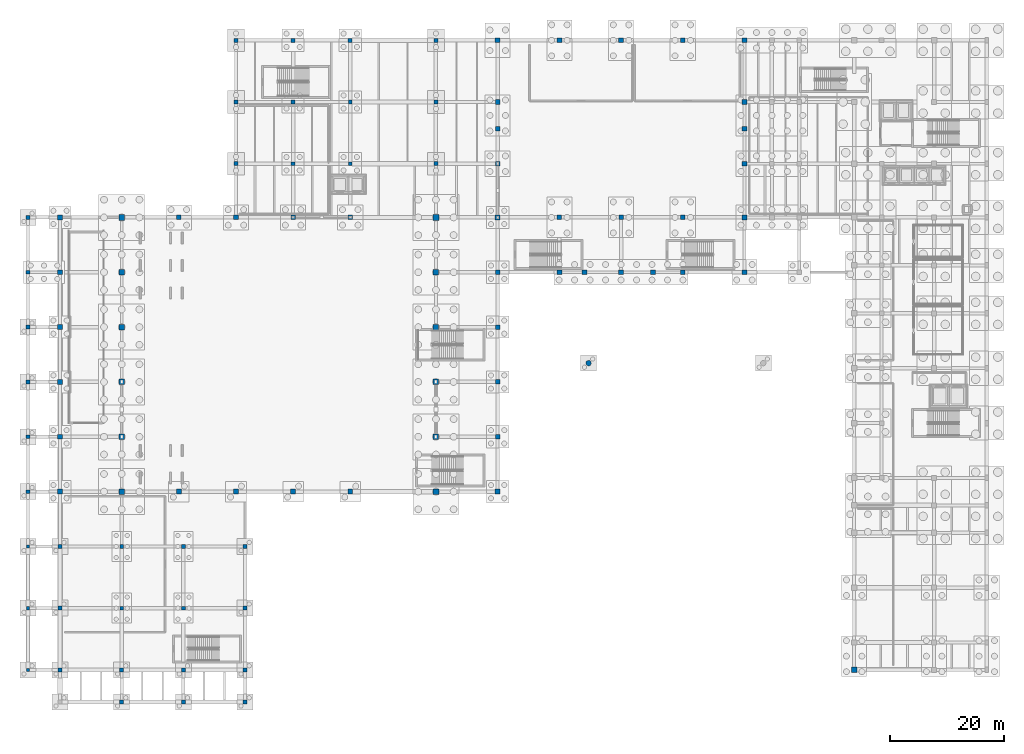
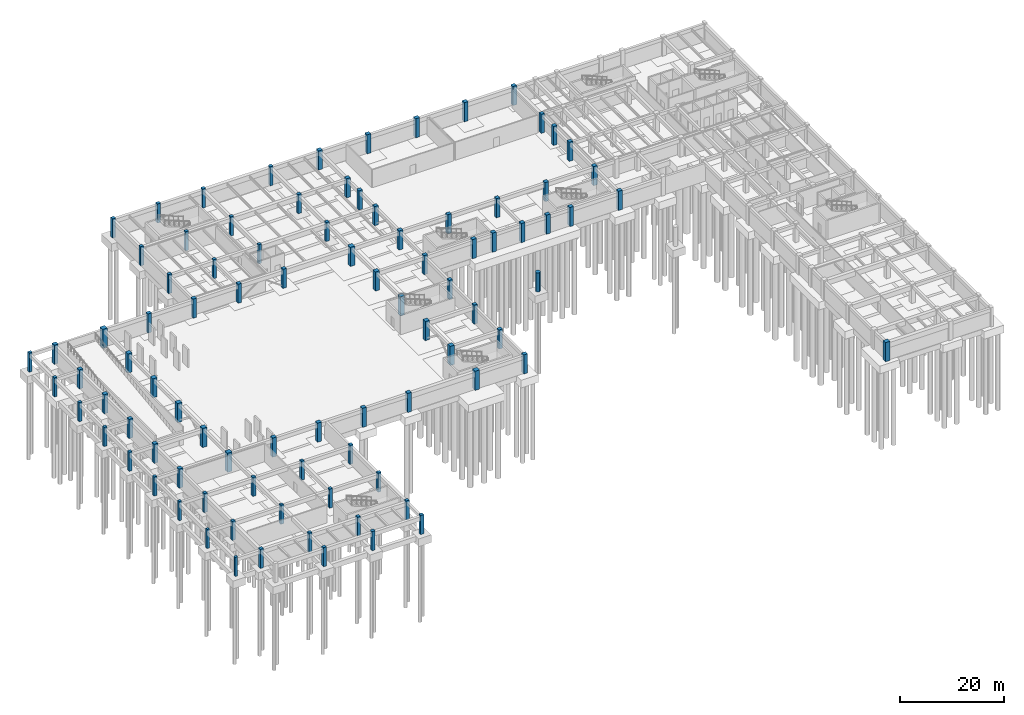
# One storey, part 7 of 33: 91 columns.
"""IFC4 building model written with IfcOpenShell, lengths in metres."""

from ifc_helpers import new_model, si_unit, direction, frame, origin, origin_2d, place, context, subcontext, project, spatial, rectangle, circle, extrude, material, material_profile, profile_set, type_object, element, save


model = new_model("IFC4")

# Units and contexts
model_context = context("Model", 3, precision=1e-05, world=origin(), true_north=direction((0.0, 1.0)))
body_context = subcontext(model_context, "Body", "Model", "MODEL_VIEW")
ifc_project = project(units=[si_unit("LENGTHUNIT", "METRE"), si_unit("AREAUNIT", "SQUARE_METRE"), si_unit("VOLUMEUNIT", "CUBIC_METRE"), si_unit("PLANEANGLEUNIT", "RADIAN"), si_unit("MASSUNIT", "GRAM", prefix="KILO")], contexts=[model_context])

# Site, building, storey
site_placement = place(None, origin())
site = spatial("IfcSite", under=ifc_project, at=site_placement, CompositionType="ELEMENT")
building_placement = place(site_placement, origin())
building = spatial("IfcBuilding", under=site, at=building_placement, Name="Veldera Park Congress Hotel", CompositionType="ELEMENT")
storey_placement = place(building_placement, frame((0.0, 0.0, -4.5)))
storey = spatial("IfcBuildingStorey", under=building, at=storey_placement, Name="B1", CompositionType="ELEMENT", Elevation=-4.5)

# Columns
ifc_material_1 = material(Name="Concrete f'c 40 MPa (5,800 psi)", Category="concrete")
ifc_material_profile_1 = material_profile(ifc_material_1, rectangle(XDim=0.550048828125, YDim=0.550048828125, at=origin_2d()), Name="RC 550x550")
ifc_profile_set_1 = profile_set([ifc_material_profile_1], Name="Concrete f'c 40 MPa (5,800 psi)")
column_type_1 = type_object("IfcColumnType", Name="COL-RC50E", PredefinedType="COLUMN", material=ifc_profile_set_1)
for number, where, z_axis, x_axis, name in (
    (1, (-83.800048828125, -52.199951171875, 0.0), (0.0, 0.0, 1.0), (1.0, 0.0, 0.0), "B1 Column COL-RC50E (-83.8,-52.2)"),
    (2, (-83.800048828125, -41.39990234375, 0.0), (0.0, 0.0, 1.0), (1.0, 0.0, 0.0), "B1 Column COL-RC50E (-83.8,-41.4)"),
    (3, (-83.800048828125, -30.60009765625, 0.0), (0.0, 0.0, 1.0), (1.0, 0.0, 0.0), "B1 Column COL-RC50E (-83.8,-30.6)"),
):
    element("IfcColumn", number, at=place(storey_placement, frame(where, z_axis=z_axis, x_axis=x_axis)), inside=storey, type_object=column_type_1, Name=name, PredefinedType="COLUMN", context=body_context, shape_type="SweptSolid", body=[
        extrude(rectangle(XDim=0.550048828125, YDim=0.550048828125, at=origin_2d()), origin(), (0.0, 0.0, 1.0), 4.5),
    ])
ifc_material_profile_2 = material_profile(ifc_material_1, rectangle(XDim=0.64990234375, YDim=0.64990234375, at=origin_2d()), Name="RC 650x650")
ifc_profile_set_2 = profile_set([ifc_material_profile_2], Name="Concrete f'c 40 MPa (5,800 psi)")
column_type_2 = type_object("IfcColumnType", Name="COL-RC60E", PredefinedType="COLUMN", material=ifc_profile_set_2)
for number, where, z_axis, x_axis, name in (
    (4, (-83.800048828125, -21.0, 0.0), (0.0, 0.0, 1.0), (1.0, 0.0, 0.0), "B1 Column COL-RC60E (-83.8,-21.0)"),
    (5, (-83.800048828125, -11.39990234375, 0.0), (0.0, 0.0, 1.0), (1.0, 0.0, 0.0), "B1 Column COL-RC60E (-83.8,-11.4)"),
    (6, (-83.800048828125, -1.800048828125, 0.0), (0.0, 0.0, 1.0), (1.0, 0.0, 0.0), "B1 Column COL-RC60E (-83.8,-1.8)"),
    (7, (-83.800048828125, 7.800048828125, 0.0), (0.0, 0.0, 1.0), (1.0, 0.0, 0.0), "B1 Column COL-RC60E (-83.8,7.8)"),
    (8, (-83.800048828125, 17.39990234375, 0.0), (0.0, 0.0, 1.0), (1.0, 0.0, 0.0), "B1 Column COL-RC60E (-83.8,17.4)"),
    (9, (-83.800048828125, 27.0, 0.0), (0.0, 0.0, 1.0), (1.0, 0.0, 0.0), "B1 Column COL-RC60E (-83.8,27.0)"),
):
    element("IfcColumn", number, at=place(storey_placement, frame(where, z_axis=z_axis, x_axis=x_axis)), inside=storey, type_object=column_type_2, Name=name, PredefinedType="COLUMN", context=body_context, shape_type="SweptSolid", body=[
        extrude(rectangle(XDim=0.64990234375, YDim=0.64990234375, at=origin_2d()), origin(), (0.0, 0.0, 1.0), 4.5),
    ])
ifc_material_profile_3 = material_profile(ifc_material_1, rectangle(XDim=0.64990234375, YDim=0.64990234375, at=origin_2d()), Name="RC 650x650")
ifc_profile_set_3 = profile_set([ifc_material_profile_3], Name="Concrete f'c 40 MPa (5,800 psi)")
column_type_3 = type_object("IfcColumnType", Name="COL-RC65", PredefinedType="COLUMN", material=ifc_profile_set_3)
for number, where, z_axis, x_axis, name in (
    (10, (-37.39990234375, 36.39990234375, 0.0), (0.0, 0.0, 1.0), (1.0, 0.0, 0.0), "B1 Column COL-RC65 (-37.4,36.4)"),
    (11, (-37.39990234375, 47.199951171875, 0.0), (0.0, 0.0, 1.0), (1.0, 0.0, 0.0), "B1 Column COL-RC65 (-37.4,47.2)"),
    (12, (-27.39990234375, 36.39990234375, 0.0), (0.0, 0.0, 1.0), (1.0, 0.0, 0.0), "B1 Column COL-RC65 (-27.4,36.4)"),
    (13, (-27.39990234375, 47.199951171875, 0.0), (0.0, 0.0, 1.0), (1.0, 0.0, 0.0), "B1 Column COL-RC65 (-27.4,47.2)"),
    (14, (-67.39990234375, -41.39990234375, 0.0), (0.0, 0.0, 1.0), (1.0, 0.0, 0.0), "B1 Column COL-RC65 (-67.4,-41.4)"),
    (15, (-67.39990234375, -30.60009765625, 0.0), (0.0, 0.0, 1.0), (1.0, 0.0, 0.0), "B1 Column COL-RC65 (-67.4,-30.6)"),
    (16, (-56.60009765625, -41.39990234375, 0.0), (0.0, 0.0, 1.0), (1.0, 0.0, 0.0), "B1 Column COL-RC65 (-56.6,-41.4)"),
    (17, (-56.60009765625, -30.60009765625, 0.0), (0.0, 0.0, 1.0), (1.0, 0.0, 0.0), "B1 Column COL-RC65 (-56.6,-30.6)"),
):
    element("IfcColumn", number, at=place(storey_placement, frame(where, z_axis=z_axis, x_axis=x_axis)), inside=storey, type_object=column_type_3, Name=name, PredefinedType="COLUMN", context=body_context, shape_type="SweptSolid", body=[
        extrude(rectangle(XDim=0.64990234375, YDim=0.64990234375, at=origin_2d()), origin(), (0.0, 0.0, 1.0), 4.5),
    ])
ifc_material_profile_4 = material_profile(ifc_material_1, rectangle(XDim=0.699951171875, YDim=0.699951171875, at=origin_2d()), Name="RC 700x700")
ifc_profile_set_4 = profile_set([ifc_material_profile_4], Name="Concrete f'c 40 MPa (5,800 psi)")
column_type_4 = type_object("IfcColumnType", Name="COL-RC65E", PredefinedType="COLUMN", material=ifc_profile_set_4)
for number, where, z_axis, x_axis, name in (
    (18, (-47.39990234375, 36.39990234375, 0.0), (0.0, 0.0, 1.0), (1.0, 0.0, 0.0), "B1 Column COL-RC65E (-47.4,36.4)"),
    (19, (-47.39990234375, 47.199951171875, 0.0), (0.0, 0.0, 1.0), (1.0, 0.0, 0.0), "B1 Column COL-RC65E (-47.4,47.2)"),
    (20, (-47.39990234375, 58.0, 0.0), (0.0, 0.0, 1.0), (1.0, 0.0, 0.0), "B1 Column COL-RC65E (-47.4,58.0)"),
    (21, (-37.39990234375, 58.0, 0.0), (0.0, 0.0, 1.0), (1.0, 0.0, 0.0), "B1 Column COL-RC65E (-37.4,58.0)"),
    (22, (-27.39990234375, 58.0, 0.0), (0.0, 0.0, 1.0), (1.0, 0.0, 0.0), "B1 Column COL-RC65E (-27.4,58.0)"),
    (23, (-12.39990234375, 36.39990234375, 0.0), (0.0, 0.0, 1.0), (1.0, 0.0, 0.0), "B1 Column COL-RC65E (-12.4,36.4)"),
    (24, (-12.39990234375, 47.199951171875, 0.0), (0.0, 0.0, 1.0), (1.0, 0.0, 0.0), "B1 Column COL-RC65E (-12.4,47.2)"),
    (25, (-12.39990234375, 58.0, 0.0), (0.0, 0.0, 1.0), (1.0, 0.0, 0.0), "B1 Column COL-RC65E (-12.4,58.0)"),
    (26, (-78.199951171875, -52.199951171875, 0.0), (0.0, 0.0, 1.0), (1.0, 0.0, 0.0), "B1 Column COL-RC65E (-78.2,-52.2)"),
    (27, (-78.199951171875, -41.39990234375, 0.0), (0.0, 0.0, 1.0), (1.0, 0.0, 0.0), "B1 Column COL-RC65E (-78.2,-41.4)"),
    (28, (-78.199951171875, -30.60009765625, 0.0), (0.0, 0.0, 1.0), (1.0, 0.0, 0.0), "B1 Column COL-RC65E (-78.2,-30.6)"),
    (29, (-67.39990234375, -57.800048828125, 0.0), (0.0, 0.0, 1.0), (1.0, 0.0, 0.0), "B1 Column COL-RC65E (-67.4,-57.8)"),
    (30, (-67.39990234375, -52.199951171875, 0.0), (0.0, 0.0, 1.0), (1.0, 0.0, 0.0), "B1 Column COL-RC65E (-67.4,-52.2)"),
    (31, (-56.60009765625, -57.800048828125, 0.0), (0.0, 0.0, 1.0), (1.0, 0.0, 0.0), "B1 Column COL-RC65E (-56.6,-57.8)"),
    (32, (-56.60009765625, -52.199951171875, 0.0), (0.0, 0.0, 1.0), (1.0, 0.0, 0.0), "B1 Column COL-RC65E (-56.6,-52.2)"),
    (33, (-45.800048828125, -57.800048828125, 0.0), (0.0, 0.0, 1.0), (1.0, 0.0, 0.0), "B1 Column COL-RC65E (-45.8,-57.8)"),
    (34, (-45.800048828125, -52.199951171875, 0.0), (0.0, 0.0, 1.0), (1.0, 0.0, 0.0), "B1 Column COL-RC65E (-45.8,-52.2)"),
    (35, (-45.800048828125, -41.39990234375, 0.0), (0.0, 0.0, 1.0), (1.0, 0.0, 0.0), "B1 Column COL-RC65E (-45.8,-41.4)"),
    (36, (-45.800048828125, -30.60009765625, 0.0), (0.0, 0.0, 1.0), (1.0, 0.0, 0.0), "B1 Column COL-RC65E (-45.8,-30.6)"),
):
    element("IfcColumn", number, at=place(storey_placement, frame(where, z_axis=z_axis, x_axis=x_axis)), inside=storey, type_object=column_type_4, Name=name, PredefinedType="COLUMN", context=body_context, shape_type="SweptSolid", body=[
        extrude(rectangle(XDim=0.699951171875, YDim=0.699951171875, at=origin_2d()), origin(), (0.0, 0.0, 1.0), 4.5),
    ])
ifc_material_2 = material(Name="Concrete f'c 50 MPa (7,250 psi)", Category="concrete")
ifc_material_profile_5 = material_profile(ifc_material_2, rectangle(XDim=0.800048828125, YDim=0.800048828125, at=origin_2d()), Name="RC 800x800")
ifc_profile_set_5 = profile_set([ifc_material_profile_5], Name="Concrete f'c 50 MPa (7,250 psi)")
column_type_5 = type_object("IfcColumnType", Name="COL-RC80", PredefinedType="COLUMN", material=ifc_profile_set_5)
for number, where, z_axis, x_axis, name in (
    (37, (-1.60009765625, -11.39990234375, 0.0), (0.0, 0.0, 1.0), (1.0, 0.0, 0.0), "B1 Column COL-RC80 (-1.6,-11.4)"),
    (38, (-1.60009765625, -1.800048828125, 0.0), (0.0, 0.0, 1.0), (1.0, 0.0, 0.0), "B1 Column COL-RC80 (-1.6,-1.8)"),
    (39, (-1.60009765625, 7.800048828125, 0.0), (0.0, 0.0, 1.0), (1.0, 0.0, 0.0), "B1 Column COL-RC80 (-1.6,7.8)"),
    (40, (-1.60009765625, 17.39990234375, 0.0), (0.0, 0.0, 1.0), (1.0, 0.0, 0.0), "B1 Column COL-RC80 (-1.6,17.4)"),
    (41, (-57.39990234375, 27.0, 0.0), (0.0, 0.0, 1.0), (1.0, 0.0, 0.0), "B1 Column COL-RC80 (-57.4,27.0)"),
    (42, (-47.39990234375, 27.0, 0.0), (0.0, 0.0, 1.0), (1.0, 0.0, 0.0), "B1 Column COL-RC80 (-47.4,27.0)"),
    (43, (-37.39990234375, 27.0, 0.0), (0.0, 0.0, 1.0), (1.0, 0.0, 0.0), "B1 Column COL-RC80 (-37.4,27.0)"),
    (44, (-27.39990234375, 27.0, 0.0), (0.0, 0.0, 1.0), (1.0, 0.0, 0.0), "B1 Column COL-RC80 (-27.4,27.0)"),
    (45, (9.199951171875, 27.0, 0.0), (0.0, 0.0, 1.0), (1.0, 0.0, 0.0), "B1 Column COL-RC80 (9.2,27.0)"),
    (46, (20.0, 27.0, 0.0), (0.0, 0.0, 1.0), (1.0, 0.0, 0.0), "B1 Column COL-RC80 (20.0,27.0)"),
    (47, (30.800048828125, 27.0, 0.0), (0.0, 0.0, 1.0), (1.0, 0.0, 0.0), "B1 Column COL-RC80 (30.8,27.0)"),
    (48, (-1.60009765625, 36.39990234375, 0.0), (0.0, 0.0, 1.0), (1.0, 0.0, 0.0), "B1 Column COL-RC80 (-1.6,36.4)"),
    (49, (41.60009765625, 36.39990234375, 0.0), (0.0, 0.0, 1.0), (1.0, 0.0, 0.0), "B1 Column COL-RC80 (41.6,36.4)"),
    (50, (-1.60009765625, 42.5, 0.0), (0.0, 0.0, 1.0), (1.0, 0.0, 0.0), "B1 Column COL-RC80 (-1.6,42.5)"),
    (51, (41.60009765625, 42.5, 0.0), (0.0, 0.0, 1.0), (1.0, 0.0, 0.0), "B1 Column COL-RC80 (41.6,42.5)"),
    (52, (-1.60009765625, 47.199951171875, 0.0), (0.0, 0.0, 1.0), (1.0, 0.0, 0.0), "B1 Column COL-RC80 (-1.6,47.2)"),
    (53, (41.60009765625, 47.199951171875, 0.0), (0.0, 0.0, 1.0), (1.0, 0.0, 0.0), "B1 Column COL-RC80 (41.6,47.2)"),
):
    element("IfcColumn", number, at=place(storey_placement, frame(where, z_axis=z_axis, x_axis=x_axis)), inside=storey, type_object=column_type_5, Name=name, PredefinedType="COLUMN", context=body_context, shape_type="SweptSolid", body=[
        extrude(rectangle(XDim=0.800048828125, YDim=0.800048828125, at=origin_2d()), origin(), (0.0, 0.0, 1.0), 4.5),
    ])
ifc_material_profile_6 = material_profile(ifc_material_2, rectangle(XDim=0.85009765625, YDim=0.85009765625, at=origin_2d()), Name="RC 850x850")
ifc_profile_set_6 = profile_set([ifc_material_profile_6], Name="Concrete f'c 50 MPa (7,250 psi)")
column_type_6 = type_object("IfcColumnType", Name="COL-RC80E", PredefinedType="COLUMN", material=ifc_profile_set_6)
for number, where, z_axis, x_axis, name in (
    (54, (-78.199951171875, -21.0, 0.0), (0.0, 0.0, 1.0), (1.0, 0.0, 0.0), "B1 Column COL-RC80E (-78.2,-21.0)"),
    (55, (-1.60009765625, -21.0, 0.0), (0.0, 0.0, 1.0), (1.0, 0.0, 0.0), "B1 Column COL-RC80E (-1.6,-21.0)"),
    (56, (-78.199951171875, -11.39990234375, 0.0), (0.0, 0.0, 1.0), (1.0, 0.0, 0.0), "B1 Column COL-RC80E (-78.2,-11.4)"),
    (57, (-78.199951171875, -1.800048828125, 0.0), (0.0, 0.0, 1.0), (1.0, 0.0, 0.0), "B1 Column COL-RC80E (-78.2,-1.8)"),
    (58, (-78.199951171875, 7.800048828125, 0.0), (0.0, 0.0, 1.0), (1.0, 0.0, 0.0), "B1 Column COL-RC80E (-78.2,7.8)"),
    (59, (-78.199951171875, 17.39990234375, 0.0), (0.0, 0.0, 1.0), (1.0, 0.0, 0.0), "B1 Column COL-RC80E (-78.2,17.4)"),
    (60, (-78.199951171875, 27.0, 0.0), (0.0, 0.0, 1.0), (1.0, 0.0, 0.0), "B1 Column COL-RC80E (-78.2,27.0)"),
    (61, (-1.60009765625, 27.0, 0.0), (0.0, 0.0, 1.0), (1.0, 0.0, 0.0), "B1 Column COL-RC80E (-1.6,27.0)"),
    (62, (-57.39990234375, -21.0, 0.0), (0.0, 0.0, 1.0), (1.0, 0.0, 0.0), "B1 Column COL-RC80E (-57.4,-21.0)"),
    (63, (-47.39990234375, -21.0, 0.0), (0.0, 0.0, 1.0), (1.0, 0.0, 0.0), "B1 Column COL-RC80E (-47.4,-21.0)"),
    (64, (-37.39990234375, -21.0, 0.0), (0.0, 0.0, 1.0), (1.0, 0.0, 0.0), "B1 Column COL-RC80E (-37.4,-21.0)"),
    (65, (-27.39990234375, -21.0, 0.0), (0.0, 0.0, 1.0), (1.0, 0.0, 0.0), "B1 Column COL-RC80E (-27.4,-21.0)"),
    (66, (-1.60009765625, 58.0, 0.0), (0.0, 0.0, 1.0), (1.0, 0.0, 0.0), "B1 Column COL-RC80E (-1.6,58.0)"),
    (67, (9.199951171875, 17.39990234375, 0.0), (0.0, 0.0, 1.0), (1.0, 0.0, 0.0), "B1 Column COL-RC80E (9.2,17.4)"),
    (68, (9.199951171875, 58.0, 0.0), (0.0, 0.0, 1.0), (1.0, 0.0, 0.0), "B1 Column COL-RC80E (9.2,58.0)"),
    (69, (13.60009765625, 17.39990234375, 0.0), (0.0, 0.0, 1.0), (1.0, 0.0, 0.0), "B1 Column COL-RC80E (13.6,17.4)"),
    (70, (20.0, 17.39990234375, 0.0), (0.0, 0.0, 1.0), (1.0, 0.0, 0.0), "B1 Column COL-RC80E (20.0,17.4)"),
    (71, (20.0, 58.0, 0.0), (0.0, 0.0, 1.0), (1.0, 0.0, 0.0), "B1 Column COL-RC80E (20.0,58.0)"),
    (72, (25.60009765625, 17.39990234375, 0.0), (0.0, 0.0, 1.0), (1.0, 0.0, 0.0), "B1 Column COL-RC80E (25.6,17.4)"),
    (73, (30.800048828125, 17.39990234375, 0.0), (0.0, 0.0, 1.0), (1.0, 0.0, 0.0), "B1 Column COL-RC80E (30.8,17.4)"),
    (74, (30.800048828125, 58.0, 0.0), (0.0, 0.0, 1.0), (1.0, 0.0, 0.0), "B1 Column COL-RC80E (30.8,58.0)"),
    (75, (41.60009765625, 17.39990234375, 0.0), (0.0, 0.0, 1.0), (1.0, 0.0, 0.0), "B1 Column COL-RC80E (41.6,17.4)"),
    (76, (41.60009765625, 27.0, 0.0), (0.0, 0.0, 1.0), (1.0, 0.0, 0.0), "B1 Column COL-RC80E (41.6,27.0)"),
    (77, (41.60009765625, 58.0, 0.0), (0.0, 0.0, 1.0), (1.0, 0.0, 0.0), "B1 Column COL-RC80E (41.6,58.0)"),
):
    element("IfcColumn", number, at=place(storey_placement, frame(where, z_axis=z_axis, x_axis=x_axis)), inside=storey, type_object=column_type_6, Name=name, PredefinedType="COLUMN", context=body_context, shape_type="SweptSolid", body=[
        extrude(rectangle(XDim=0.85009765625, YDim=0.85009765625, at=origin_2d()), origin(), (0.0, 0.0, 1.0), 4.5),
    ])
ifc_material_profile_7 = material_profile(ifc_material_2, rectangle(XDim=0.949951171875, YDim=0.949951171875, at=origin_2d()), Name="RC 950x950")
ifc_profile_set_7 = profile_set([ifc_material_profile_7], Name="Concrete f'c 50 MPa (7,250 psi)")
column_type_7 = type_object("IfcColumnType", Name="COL-RC90E", PredefinedType="COLUMN", material=ifc_profile_set_7)
column_1_placement = place(storey_placement, frame((60.800048828125, -52.199951171875, 0.0), z_axis=(0.0, 0.0, 1.0), x_axis=(1.0, 0.0, 0.0)))
element("IfcColumn", 78, at=column_1_placement, inside=storey, type_object=column_type_7, Name="B1 Column COL-RC90E (60.8,-52.2)", PredefinedType="COLUMN", context=body_context, shape_type="SweptSolid", body=[
    extrude(rectangle(XDim=0.949951171875, YDim=0.949951171875, at=origin_2d()), origin(), (0.0, 0.0, 1.0), 4.5),
])
ifc_material_profile_8 = material_profile(ifc_material_2, rectangle(XDim=0.949951171875, YDim=0.949951171875, at=origin_2d()), Name="RC 950x950")
ifc_profile_set_8 = profile_set([ifc_material_profile_8], Name="Concrete f'c 50 MPa (7,250 psi)")
column_type_8 = type_object("IfcColumnType", Name="COL-RC95", PredefinedType="COLUMN", material=ifc_profile_set_8)
for number, where, z_axis, x_axis, name in (
    (79, (-67.39990234375, -11.39990234375, 0.0), (0.0, 0.0, 1.0), (1.0, 0.0, 0.0), "B1 Column COL-RC95 (-67.4,-11.4)"),
    (80, (-12.39990234375, -11.39990234375, 0.0), (0.0, 0.0, 1.0), (1.0, 0.0, 0.0), "B1 Column COL-RC95 (-12.4,-11.4)"),
    (81, (-67.39990234375, -1.800048828125, 0.0), (0.0, 0.0, 1.0), (1.0, 0.0, 0.0), "B1 Column COL-RC95 (-67.4,-1.8)"),
    (82, (-12.39990234375, -1.800048828125, 0.0), (0.0, 0.0, 1.0), (1.0, 0.0, 0.0), "B1 Column COL-RC95 (-12.4,-1.8)"),
    (83, (-67.39990234375, 7.800048828125, 0.0), (0.0, 0.0, 1.0), (1.0, 0.0, 0.0), "B1 Column COL-RC95 (-67.4,7.8)"),
    (84, (-12.39990234375, 7.800048828125, 0.0), (0.0, 0.0, 1.0), (1.0, 0.0, 0.0), "B1 Column COL-RC95 (-12.4,7.8)"),
    (85, (-67.39990234375, 17.39990234375, 0.0), (0.0, 0.0, 1.0), (1.0, 0.0, 0.0), "B1 Column COL-RC95 (-67.4,17.4)"),
    (86, (-12.39990234375, 17.39990234375, 0.0), (0.0, 0.0, 1.0), (1.0, 0.0, 0.0), "B1 Column COL-RC95 (-12.4,17.4)"),
):
    element("IfcColumn", number, at=place(storey_placement, frame(where, z_axis=z_axis, x_axis=x_axis)), inside=storey, type_object=column_type_8, Name=name, PredefinedType="COLUMN", context=body_context, shape_type="SweptSolid", body=[
        extrude(rectangle(XDim=0.949951171875, YDim=0.949951171875, at=origin_2d()), origin(), (0.0, 0.0, 1.0), 4.5),
    ])
ifc_material_profile_9 = material_profile(ifc_material_2, rectangle(XDim=1.0, YDim=1.0, at=origin_2d()), Name="RC 1000x1000")
ifc_profile_set_9 = profile_set([ifc_material_profile_9], Name="Concrete f'c 50 MPa (7,250 psi)")
column_type_9 = type_object("IfcColumnType", Name="COL-RC95E", PredefinedType="COLUMN", material=ifc_profile_set_9)
for number, where, z_axis, x_axis, name in (
    (87, (-67.39990234375, -21.0, 0.0), (0.0, 0.0, 1.0), (1.0, 0.0, 0.0), "B1 Column COL-RC95E (-67.4,-21.0)"),
    (88, (-12.39990234375, -21.0, 0.0), (0.0, 0.0, 1.0), (1.0, 0.0, 0.0), "B1 Column COL-RC95E (-12.4,-21.0)"),
    (89, (-67.39990234375, 27.0, 0.0), (0.0, 0.0, 1.0), (1.0, 0.0, 0.0), "B1 Column COL-RC95E (-67.4,27.0)"),
    (90, (-12.39990234375, 27.0, 0.0), (0.0, 0.0, 1.0), (1.0, 0.0, 0.0), "B1 Column COL-RC95E (-12.4,27.0)"),
):
    element("IfcColumn", number, at=place(storey_placement, frame(where, z_axis=z_axis, x_axis=x_axis)), inside=storey, type_object=column_type_9, Name=name, PredefinedType="COLUMN", context=body_context, shape_type="SweptSolid", body=[
        extrude(rectangle(XDim=1.0, YDim=1.0, at=origin_2d()), origin(), (0.0, 0.0, 1.0), 4.5),
    ])
ifc_material_profile_10 = material_profile(ifc_material_2, circle(Radius=0.47509765625, at=origin_2d()), Name="RC D950")
ifc_profile_set_10 = profile_set([ifc_material_profile_10], Name="Concrete f'c 50 MPa (7,250 psi)")
column_type_10 = type_object("IfcColumnType", Name="COL-RCD90E", PredefinedType="COLUMN", material=ifc_profile_set_10)
column_2_placement = place(storey_placement, frame((14.309814453125, 1.489990234375, 0.0), z_axis=(0.0, 0.0, 1.0), x_axis=(1.0, 0.0, 0.0)))
element("IfcColumn", 91, at=column_2_placement, inside=storey, type_object=column_type_10, Name="B1 Column COL-RCD90E (14.3,1.5)", PredefinedType="COLUMN", context=body_context, shape_type="SweptSolid", body=[
    extrude(circle(Radius=0.47509765625, at=origin_2d()), origin(), (0.0, 0.0, 1.0), 4.5),
])

save(model, "model.ifc")
